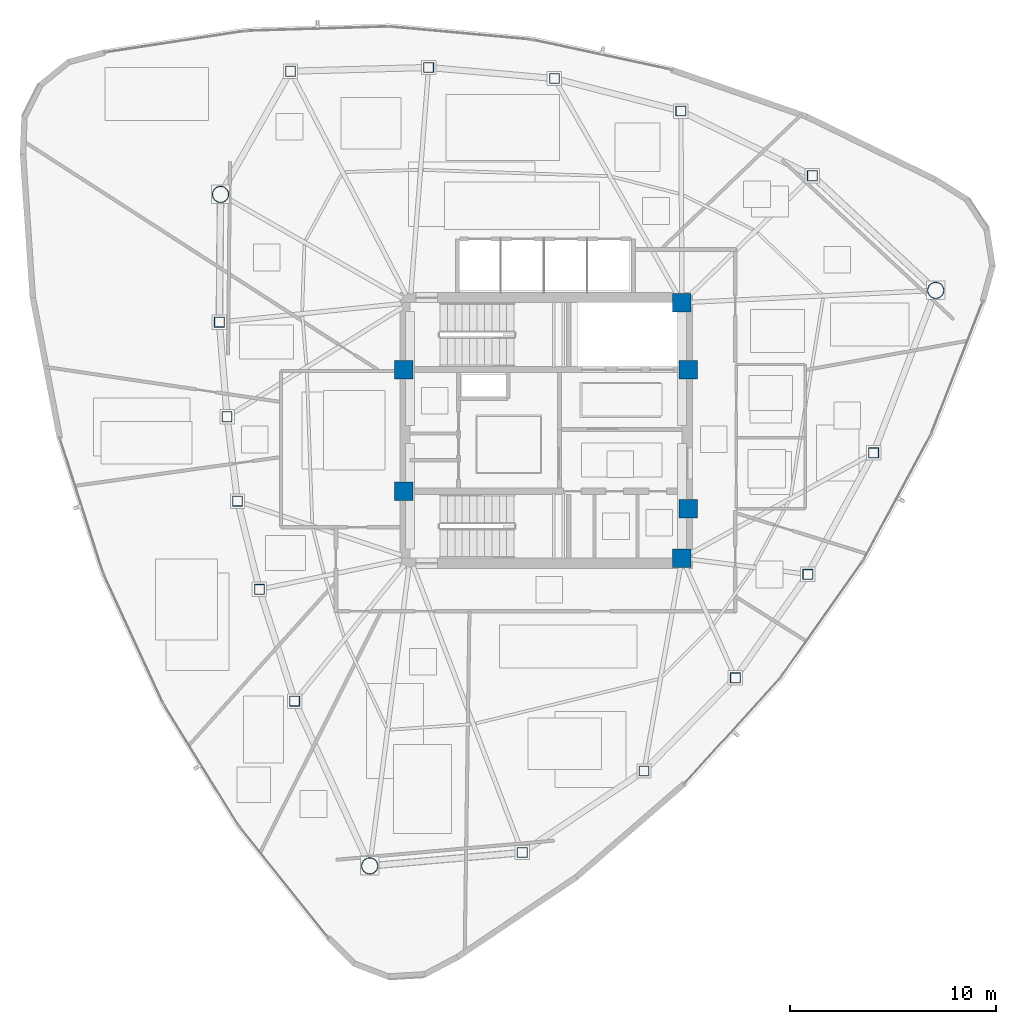
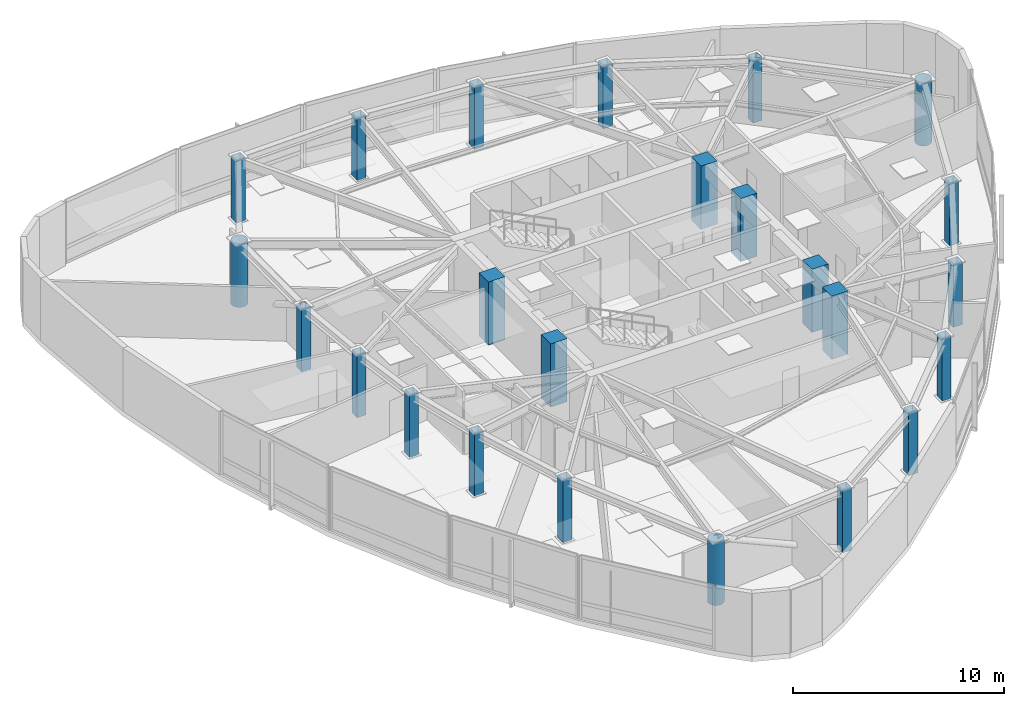
# One storey, part 1 of 14: 24 columns.
"""IFC4 building model written with IfcOpenShell, lengths in metres."""

from ifc_helpers import new_model, si_unit, direction, frame, origin, origin_2d, place, context, subcontext, project, spatial, rectangle, hollow_rectangle, hollow_circle, extrude, material, material_profile, profile_set, type_object, element, save


model = new_model("IFC4")

# Units and contexts
model_context = context("Model", 3, precision=1e-05, world=origin(), true_north=direction((0.0, 1.0)))
body_context = subcontext(model_context, "Body", "Model", "MODEL_VIEW")
ifc_project = project(units=[si_unit("LENGTHUNIT", "METRE"), si_unit("AREAUNIT", "SQUARE_METRE"), si_unit("VOLUMEUNIT", "CUBIC_METRE"), si_unit("PLANEANGLEUNIT", "RADIAN"), si_unit("MASSUNIT", "GRAM", prefix="KILO")], contexts=[model_context])

# Site, building, storey
site_placement = place(None, origin())
site = spatial("IfcSite", under=ifc_project, at=site_placement, CompositionType="ELEMENT")
building_placement = place(site_placement, origin())
building = spatial("IfcBuilding", under=site, at=building_placement, Name="Tavelor Broadcast Tower", CompositionType="ELEMENT")
storey_placement = place(building_placement, frame((0.0, 0.0, 257.699951171875)))
storey = spatial("IfcBuildingStorey", under=building, at=storey_placement, Name="L61", CompositionType="ELEMENT", Elevation=257.699951171875)

# Columns
ifc_material_1 = material(Name="Concrete C50/60", Category="concrete")
ifc_material_profile_1 = material_profile(ifc_material_1, rectangle(XDim=0.89990234375, YDim=0.89990234375, at=origin_2d()), Name="RC 900x900")
ifc_profile_set_1 = profile_set([ifc_material_profile_1], Name="Concrete C50/60")
column_type_1 = type_object("IfcColumnType", Name="Core Embedded Composite Column RC900", PredefinedType="COLUMN", material=ifc_profile_set_1)
for number, where, z_axis, x_axis, name in (
    (1, (43.10009765625, 47.949951171875, 0.0), (0.0, 0.0, 1.0), (1.0, 0.0, 0.0), "L61 Core Embedded Column 1"),
    (2, (56.89990234375, 47.949951171875, 0.0), (0.0, 0.0, 1.0), (1.0, 0.0, 0.0), "L61 Core Embedded Column 2"),
    (3, (56.60009765625, 51.199951171875, 0.0), (0.0, 0.0, 1.0), (1.0, 0.0, 0.0), "L61 Core Embedded Column 3"),
    (4, (43.10009765625, 42.050048828125, 0.0), (0.0, 0.0, 1.0), (1.0, 0.0, 0.0), "L61 Core Embedded Column 4"),
    (5, (56.89990234375, 41.199951171875, 0.0), (0.0, 0.0, 1.0), (1.0, 0.0, 0.0), "L61 Core Embedded Column 5"),
    (6, (56.60009765625, 38.800048828125, 0.0), (0.0, 0.0, 1.0), (1.0, 0.0, 0.0), "L61 Core Embedded Column 6"),
):
    element("IfcColumn", number, at=place(storey_placement, frame(where, z_axis=z_axis, x_axis=x_axis)), inside=storey, type_object=column_type_1, Name=name, PredefinedType="COLUMN", context=body_context, shape_type="SweptSolid", body=[
        extrude(rectangle(XDim=0.89990234375, YDim=0.89990234375, at=origin_2d()), origin(), (0.0, 0.0, 1.0), 3.650146484375),
    ])
ifc_material_2 = material(Name="Steel S460", Category="steel")
ifc_material_profile_2 = material_profile(ifc_material_2, hollow_rectangle(XDim=0.5, YDim=0.5, WallThickness=0.030029296875, at=origin_2d()), Name="SHS 500x500x30")
ifc_profile_set_2 = profile_set([ifc_material_profile_2], Name="Steel S460")
column_type_2 = type_object("IfcColumnType", Name="Perimeter Tube Column T6 SHS 500x500x30", PredefinedType="COLUMN", material=ifc_profile_set_2)
for number, where, z_axis, x_axis, name in (
    (7, (34.13720703125, 50.255859375, 0.0), (0.0, 0.0, 1.0), (1.0, 0.0, 0.0), "L61 Perimeter Framed-Tube Column 02"),
    (8, (34.513671875, 45.66455078125, 0.0), (0.0, 0.0, 1.0), (1.0, 0.0, 0.0), "L61 Perimeter Framed-Tube Column 03"),
    (9, (35.018798828125, 41.56396484375, 0.0), (0.0, 0.0, 1.0), (1.0, 0.0, 0.0), "L61 Perimeter Framed-Tube Column 04"),
    (10, (36.08349609375, 37.2822265625, 0.0), (0.0, 0.0, 1.0), (1.0, 0.0, 0.0), "L61 Perimeter Framed-Tube Column 05"),
    (11, (37.797119140625, 31.853271484375, 0.0), (0.0, 0.0, 1.0), (1.0, 0.0, 0.0), "L61 Perimeter Framed-Tube Column 06"),
    (12, (48.843994140625, 24.5048828125, 0.0), (0.0, 0.0, 1.0), (1.0, 0.0, 0.0), "L61 Perimeter Framed-Tube Column 08"),
    (13, (54.754150390625, 28.461669921875, 0.0), (0.0, 0.0, 1.0), (1.0, 0.0, 0.0), "L61 Perimeter Framed-Tube Column 09"),
    (14, (59.1923828125, 32.987060546875, 0.0), (0.0, 0.0, 1.0), (1.0, 0.0, 0.0), "L61 Perimeter Framed-Tube Column 10"),
    (15, (62.7109375, 38.009033203125, 0.0), (0.0, 0.0, 1.0), (1.0, 0.0, 0.0), "L61 Perimeter Framed-Tube Column 11"),
    (16, (65.9072265625, 43.909423828125, 0.0), (0.0, 0.0, 1.0), (1.0, 0.0, 0.0), "L61 Perimeter Framed-Tube Column 12"),
    (17, (62.92724609375, 57.364013671875, 0.0), (0.0, 0.0, 1.0), (1.0, 0.0, 0.0), "L61 Perimeter Framed-Tube Column 14"),
    (18, (56.545654296875, 60.504150390625, 0.0), (0.0, 0.0, 1.0), (1.0, 0.0, 0.0), "L61 Perimeter Framed-Tube Column 15"),
    (19, (50.4072265625, 62.0849609375, 0.0), (0.0, 0.0, 1.0), (1.0, 0.0, 0.0), "L61 Perimeter Framed-Tube Column 16"),
    (20, (44.298828125, 62.621337890625, 0.0), (0.0, 0.0, 1.0), (1.0, 0.0, 0.0), "L61 Perimeter Framed-Tube Column 17"),
    (21, (37.5908203125, 62.439208984375, 0.0), (0.0, 0.0, 1.0), (1.0, 0.0, 0.0), "L61 Perimeter Framed-Tube Column 18"),
):
    element("IfcColumn", number, at=place(storey_placement, frame(where, z_axis=z_axis, x_axis=x_axis)), inside=storey, type_object=column_type_2, Name=name, PredefinedType="COLUMN", context=body_context, shape_type="SweptSolid", body=[
        extrude(hollow_rectangle(XDim=0.5, YDim=0.5, WallThickness=0.030029296875, at=origin_2d()), origin(), (0.0, 0.0, 1.0), 3.650146484375),
    ])
ifc_material_profile_3 = material_profile(ifc_material_2, hollow_circle(Radius=0.406494140625, WallThickness=0.035888671875, at=origin_2d()), Name="CHS 813x36")
ifc_profile_set_3 = profile_set([ifc_material_profile_3], Name="Steel S460")
column_type_3 = type_object("IfcColumnType", Name="Tower Mega Column T6 CHS 813x36", PredefinedType="COLUMN", material=ifc_profile_set_3)
for number, where, z_axis, x_axis, name in (
    (22, (34.1962890625, 56.4599609375, 0.0), (0.0, 0.0, 1.0), (1.0, 0.0, 0.0), "L61 Tower Corner Mega Column 01"),
    (23, (41.440185546875, 23.853759765625, 0.0), (0.0, 0.0, 1.0), (1.0, 0.0, 0.0), "L61 Tower Corner Mega Column 07"),
    (24, (68.919677734375, 51.799072265625, 0.0), (0.0, 0.0, 1.0), (1.0, 0.0, 0.0), "L61 Tower Corner Mega Column 13"),
):
    element("IfcColumn", number, at=place(storey_placement, frame(where, z_axis=z_axis, x_axis=x_axis)), inside=storey, type_object=column_type_3, Name=name, PredefinedType="COLUMN", context=body_context, shape_type="SweptSolid", body=[
        extrude(hollow_circle(Radius=0.406494140625, WallThickness=0.035888671875, at=origin_2d()), origin(), (0.0, 0.0, 1.0), 3.650146484375),
    ])

save(model, "model.ifc")
